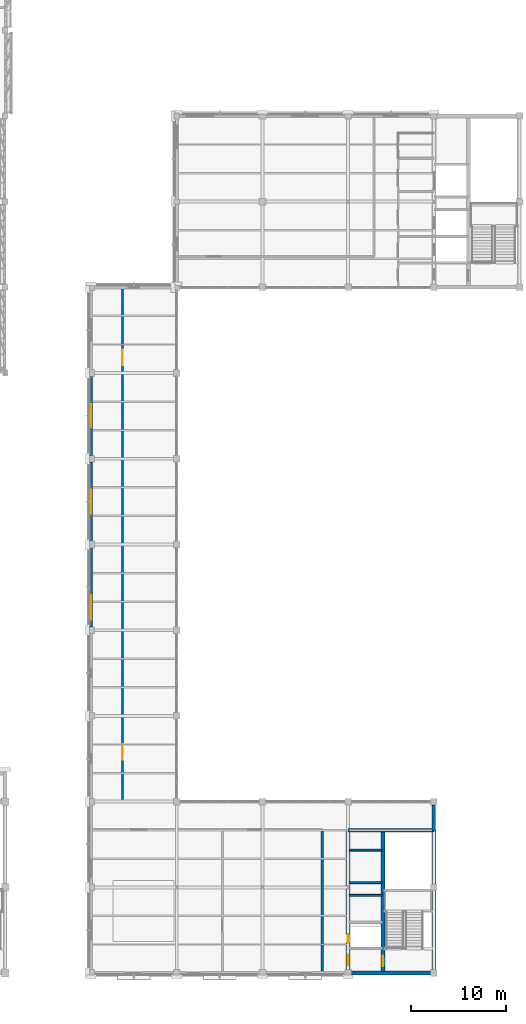
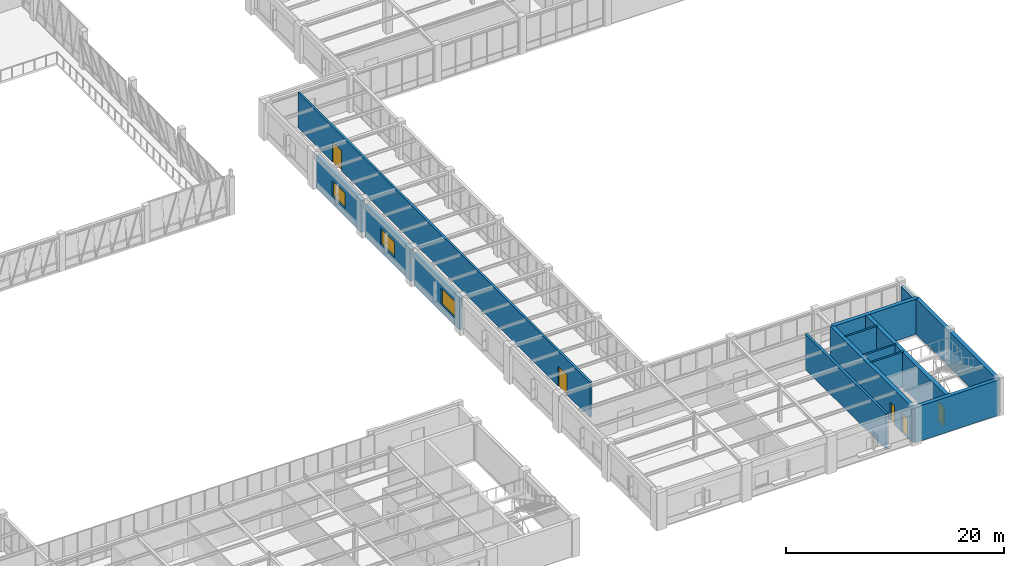
# One storey, part 93 of 108: 14 walls, 5 doors, 3 windows, 8 openings.
"""IFC4 building model written with IfcOpenShell, lengths in metres."""

from ifc_helpers import new_model, si_unit, direction, frame, frame_2d, origin, place, context, subcontext, project, spatial, rectangle, extrude, material, layer, layer_set, type_object, element, fill, save


model = new_model("IFC4")

# Units and contexts
model_context = context("Model", 3, precision=1e-05, world=origin(), true_north=direction((0.0, 1.0)))
body_context = subcontext(model_context, "Body", "Model", "MODEL_VIEW")
ifc_project = project(units=[si_unit("LENGTHUNIT", "METRE"), si_unit("AREAUNIT", "SQUARE_METRE"), si_unit("VOLUMEUNIT", "CUBIC_METRE"), si_unit("PLANEANGLEUNIT", "RADIAN"), si_unit("MASSUNIT", "GRAM", prefix="KILO")], contexts=[model_context])

# Site, building, storey
site_placement = place(None, origin())
site = spatial("IfcSite", under=ifc_project, at=site_placement, CompositionType="ELEMENT")
building_placement = place(site_placement, origin())
building = spatial("IfcBuilding", under=site, at=building_placement, Name="Lykobir Media Centre", CompositionType="ELEMENT")
storey_placement = place(building_placement, frame((0.0, 0.0, 15.0)))
storey = spatial("IfcBuildingStorey", under=building, at=storey_placement, Name="L03", CompositionType="ELEMENT", Elevation=15.0)

# Wall, opening, window
ifc_material_1 = material(Name="Architectural Ochre Brick", Category="masonry")
ifc_layer_1 = layer(ifc_material_1, 0.360107421875, Name="Architectural Ochre Brick")
ifc_layer_set_1 = layer_set([ifc_layer_1], Name="Architectural Ochre Brick")
wall_type_1 = type_object("IfcWallType", Name="EW-BRK-360", PredefinedType="STANDARD", material=ifc_layer_set_1)
wall_1_placement = place(storey_placement, frame((90.0, 44.6650390625, 0.0), z_axis=(0.0, 0.0, 1.0), x_axis=(0.0, -1.0, 0.0)))
wall_1 = element("IfcWall", 1, at=wall_1_placement, inside=storey, type_object=wall_type_1, Name="Exterior wall WALL-L03-0254", PredefinedType="STANDARD", context=body_context, shape_type="SweptSolid", body=[
    extrude(rectangle(XDim=8.330078125, YDim=0.360107421875, at=frame_2d((4.1650390625, 0.0))), origin(), (0.0, 0.0, 1.0), 3.635009765625),
])
opening_1_placement = place(wall_1_placement, frame((4.97998046875, 0.0, 0.89990234375)))
opening_1 = element("IfcOpeningElement", 2, at=opening_1_placement, cuts=wall_1, Name="Opening WN-2600x1800", PredefinedType="OPENING", context=body_context, shape_type="SweptSolid", body=[
    extrude(rectangle(XDim=2.60009765625, YDim=1.800048828125, at=frame_2d((1.300048828125, 0.89990234375))), frame((0.0, 0.18994140625, 0.0), z_axis=(0.0, -1.0, 0.0), x_axis=(1.0, 0.0, 0.0)), (0.0, 0.0, 1.0), 0.380126953125),
])
ifc_material_2 = material(Name="Low-E Laminated Triple Glazing", Category="glass")
window_type_1 = type_object("IfcWindowType", Name="WN-2600x1800", PartitioningType="SINGLE_PANEL", PredefinedType="WINDOW", material=ifc_material_2)
window_1_placement = place(opening_1_placement, origin())
window_1 = element("IfcWindow", 3, at=window_1_placement, inside=storey, type_object=window_type_1, Name="Window WIN-L03-0085", OverallHeight=1.800048828125, OverallWidth=2.60009765625, PartitioningType="SINGLE_PANEL", PredefinedType="WINDOW", context=body_context, shape_type="SweptSolid", body=[
    extrude(rectangle(XDim=2.60009765625, YDim=1.800048828125, at=frame_2d((1.300048828125, 0.89990234375))), frame((0.0, 0.030029296875, 0.0), z_axis=(0.0, -1.0, 0.0), x_axis=(1.0, 0.0, 0.0)), (0.0, 0.0, 1.0), 0.06005859375),
])
fill(opening_1, window_1)

wall_2_placement = place(storey_placement, frame((90.0, 53.6650390625, 0.0), z_axis=(0.0, 0.0, 1.0), x_axis=(0.0, -1.0, 0.0)))
wall_2 = element("IfcWall", 4, at=wall_2_placement, inside=storey, type_object=wall_type_1, Name="Exterior wall WALL-L03-0255", PredefinedType="STANDARD", context=body_context, shape_type="SweptSolid", body=[
    extrude(rectangle(XDim=8.330078125, YDim=0.360107421875, at=frame_2d((4.1650390625, 0.0))), origin(), (0.0, 0.0, 1.0), 3.635009765625),
])
opening_2_placement = place(wall_2_placement, frame((2.9150390625, 0.0, 0.89990234375)))
opening_2 = element("IfcOpeningElement", 5, at=opening_2_placement, cuts=wall_2, Name="Opening WN-2500x1750", PredefinedType="OPENING", context=body_context, shape_type="SweptSolid", body=[
    extrude(rectangle(XDim=2.5, YDim=1.75, at=frame_2d((1.25, 0.875))), frame((0.0, 0.18994140625, 0.0), z_axis=(0.0, -1.0, 0.0), x_axis=(1.0, 0.0, 0.0)), (0.0, 0.0, 1.0), 0.380126953125),
])
window_type_2 = type_object("IfcWindowType", Name="WN-2500x1750", PartitioningType="SINGLE_PANEL", PredefinedType="WINDOW", material=ifc_material_2)
window_2_placement = place(opening_2_placement, origin())
window_2 = element("IfcWindow", 6, at=window_2_placement, inside=storey, type_object=window_type_2, Name="Window WIN-L03-0086", OverallHeight=1.75, OverallWidth=2.5, PartitioningType="SINGLE_PANEL", PredefinedType="WINDOW", context=body_context, shape_type="SweptSolid", body=[
    extrude(rectangle(XDim=2.5, YDim=1.75, at=frame_2d((1.25, 0.875))), frame((0.0, 0.030029296875, 0.0), z_axis=(0.0, -1.0, 0.0), x_axis=(1.0, 0.0, 0.0)), (0.0, 0.0, 1.0), 0.06005859375),
])
fill(opening_2, window_2)

wall_3_placement = place(storey_placement, frame((90.0, 62.6650390625, 0.0), z_axis=(0.0, 0.0, 1.0), x_axis=(0.0, -1.0, 0.0)))
wall_3 = element("IfcWall", 7, at=wall_3_placement, inside=storey, type_object=wall_type_1, Name="Exterior wall WALL-L03-0256", PredefinedType="STANDARD", context=body_context, shape_type="SweptSolid", body=[
    extrude(rectangle(XDim=8.330078125, YDim=0.360107421875, at=frame_2d((4.1650390625, 0.0))), origin(), (0.0, 0.0, 1.0), 3.635009765625),
])
opening_3_placement = place(wall_3_placement, frame((2.965087890625, 0.0, 0.89990234375)))
opening_3 = element("IfcOpeningElement", 8, at=opening_3_placement, cuts=wall_3, Name="Opening WN-2400x1700", PredefinedType="OPENING", context=body_context, shape_type="SweptSolid", body=[
    extrude(rectangle(XDim=2.39990234375, YDim=1.699951171875, at=frame_2d((1.199951171875, 0.85009765625))), frame((0.0, 0.18994140625, 0.0), z_axis=(0.0, -1.0, 0.0), x_axis=(1.0, 0.0, 0.0)), (0.0, 0.0, 1.0), 0.380126953125),
])
window_type_3 = type_object("IfcWindowType", Name="WN-2400x1700", PartitioningType="SINGLE_PANEL", PredefinedType="WINDOW", material=ifc_material_2)
window_3_placement = place(opening_3_placement, origin())
window_3 = element("IfcWindow", 9, at=window_3_placement, inside=storey, type_object=window_type_3, Name="Window WIN-L03-0087", OverallHeight=1.699951171875, OverallWidth=2.39990234375, PartitioningType="SINGLE_PANEL", PredefinedType="WINDOW", context=body_context, shape_type="SweptSolid", body=[
    extrude(rectangle(XDim=2.39990234375, YDim=1.699951171875, at=frame_2d((1.199951171875, 0.85009765625))), frame((0.0, 0.030029296875, 0.0), z_axis=(0.0, -1.0, 0.0), x_axis=(1.0, 0.0, 0.0)), (0.0, 0.0, 1.0), 0.06005859375),
])
fill(opening_3, window_3)

# Walls
wall_4_placement = place(storey_placement, frame((126.0, 14.925048828125, 0.0), z_axis=(0.0, 0.0, 1.0), x_axis=(0.0, 1.0, 0.0)))
element("IfcWall", 10, at=wall_4_placement, inside=storey, type_object=wall_type_1, Name="Exterior wall WALL-L03-0263", PredefinedType="STANDARD", context=body_context, shape_type="SweptSolid", body=[
    extrude(rectangle(XDim=2.739990234375, YDim=0.360107421875, at=frame_2d((1.3701171875, 0.0))), origin(), (0.0, 0.0, 1.0), 3.635009765625),
])
ifc_material_3 = material(Name="Concrete C30/37", Category="concrete")
ifc_layer_2 = layer(ifc_material_3, 0.199951171875, Name="Concrete C30/37")
ifc_layer_set_2 = layer_set([ifc_layer_2], Name="Concrete C30/37")
wall_type_2 = type_object("IfcWallType", Name="IW-SHAFT-200", PredefinedType="PARTITIONING", material=ifc_layer_set_2)
for number, where, z_axis, x_axis, name in (
    (11, (117.10009765625, 8.14990234375, 0.0), (0.0, 0.0, 1.0), (1.0, 0.0, 0.0), "Wall IWALL-L03-0621"),
    (12, (117.10009765625, 9.5, 0.0), (0.0, 0.0, 1.0), (1.0, 0.0, 0.0), "Wall IWALL-L03-0622"),
    (13, (117.10009765625, 12.89990234375, 0.0), (0.0, 0.0, 1.0), (1.0, 0.0, 0.0), "Wall IWALL-L03-0623"),
):
    element("IfcWall", number, at=place(storey_placement, frame(where, z_axis=z_axis, x_axis=x_axis)), inside=storey, type_object=wall_type_2, Name=name, PredefinedType="PARTITIONING", context=body_context, shape_type="SweptSolid", body=[
        extrude(rectangle(XDim=3.5, YDim=0.199951171875, at=frame_2d((1.75, 0.0))), origin(), (0.0, 0.0, 1.0), 3.9599609375),
    ])

# Wall, openings, doors
ifc_material_4 = material(Name="Acoustic Gypsum Board", Category="gypsum")
ifc_layer_3 = layer(ifc_material_4, 0.219970703125, Name="Acoustic Gypsum Board")
ifc_layer_set_3 = layer_set([ifc_layer_3], Name="Acoustic Gypsum Board")
wall_type_3 = type_object("IfcWallType", Name="IW-STU-220", PredefinedType="PARTITIONING", material=ifc_layer_set_3)
wall_5_placement = place(storey_placement, frame((93.300048828125, 18.199951171875, 0.0), z_axis=(0.0, 0.0, 1.0), x_axis=(0.0, 1.0, 0.0)))
wall_5 = element("IfcWall", 14, at=wall_5_placement, inside=storey, type_object=wall_type_3, Name="Wall IWALL-L03-0730", PredefinedType="PARTITIONING", context=body_context, shape_type="SweptSolid", body=[
    extrude(rectangle(XDim=53.60009765625, YDim=0.219970703125, at=frame_2d((26.800048828125, 0.0))), origin(), (0.0, 0.0, 1.0), 3.9599609375),
])
opening_4_placement = place(wall_5_placement, frame((4.199951171875, 0.0, 0.0)))
opening_4 = element("IfcOpeningElement", 15, at=opening_4_placement, cuts=wall_5, Name="Opening D-L03-EP1", PredefinedType="OPENING", context=body_context, shape_type="SweptSolid", body=[
    extrude(rectangle(XDim=1.64990234375, YDim=2.25, at=frame_2d((0.824951171875, 1.125))), frame((0.0, 0.119873046875, 0.0), z_axis=(0.0, -1.0, 0.0), x_axis=(1.0, 0.0, 0.0)), (0.0, 0.0, 1.0), 0.239990234375),
])
opening_5_placement = place(wall_5_placement, frame((45.60009765625, 0.0, 0.0)))
opening_5 = element("IfcOpeningElement", 16, at=opening_5_placement, cuts=wall_5, Name="Opening D-L03-EP2", PredefinedType="OPENING", context=body_context, shape_type="SweptSolid", body=[
    extrude(rectangle(XDim=1.64990234375, YDim=2.25, at=frame_2d((0.824951171875, 1.125))), frame((0.0, 0.119873046875, 0.0), z_axis=(0.0, -1.0, 0.0), x_axis=(1.0, 0.0, 0.0)), (0.0, 0.0, 1.0), 0.239990234375),
])
ifc_material_5 = material(Name="Acoustic Timber Panelling", Category="wood")
door_type_1 = type_object("IfcDoorType", Name="FD-1650x2250", OperationType="NOTDEFINED", PredefinedType="DOOR", material=ifc_material_5)
door_1_placement = place(opening_4_placement, origin())
door_1 = element("IfcDoor", 17, at=door_1_placement, inside=storey, type_object=door_type_1, Name="Door D-L03-EP1", OperationType="DOUBLE_DOOR_SINGLE_SWING", OverallHeight=2.25, OverallWidth=1.64990234375, PredefinedType="DOOR", context=body_context, shape_type="SweptSolid", body=[
    extrude(rectangle(XDim=1.64990234375, YDim=2.25, at=frame_2d((0.824951171875, 1.125))), frame((0.0, 0.02490234375, 0.0), z_axis=(0.0, -1.0, 0.0), x_axis=(1.0, 0.0, 0.0)), (0.0, 0.0, 1.0), 0.050048828125),
])
fill(opening_4, door_1)
door_2_placement = place(opening_5_placement, origin())
door_2 = element("IfcDoor", 18, at=door_2_placement, inside=storey, type_object=door_type_1, Name="Door D-L03-EP2", OperationType="DOUBLE_DOOR_SINGLE_SWING", OverallHeight=2.25, OverallWidth=1.64990234375, PredefinedType="DOOR", context=body_context, shape_type="SweptSolid", body=[
    extrude(rectangle(XDim=1.64990234375, YDim=2.25, at=frame_2d((0.824951171875, 1.125))), frame((0.0, 0.02490234375, 0.0), z_axis=(0.0, -1.0, 0.0), x_axis=(1.0, 0.0, 0.0)), (0.0, 0.0, 1.0), 0.050048828125),
])
fill(opening_5, door_2)

# Wall
ifc_layer_4 = layer(ifc_material_4, 0.260009765625, Name="Acoustic Gypsum Board")
ifc_layer_set_4 = layer_set([ifc_layer_4], Name="Acoustic Gypsum Board")
wall_type_4 = type_object("IfcWallType", Name="IW-STU-260", PredefinedType="PARTITIONING", material=ifc_layer_set_4)
wall_6_placement = place(storey_placement, frame((114.300048828125, 0.219970703125, 0.0), z_axis=(0.0, 0.0, 1.0), x_axis=(0.0, 1.0, 0.0)))
element("IfcWall", 19, at=wall_6_placement, inside=storey, type_object=wall_type_4, Name="Wall IWALL-L03-0729", PredefinedType="PARTITIONING", context=body_context, shape_type="SweptSolid", body=[
    extrude(rectangle(XDim=14.830078125, YDim=0.260009765625, at=frame_2d((7.4150390625, 0.0))), origin(), (0.0, 0.0, 1.0), 3.9599609375),
])

# Wall, openings, doors
ifc_material_6 = material(Name="Concrete C40/50", Category="concrete")
ifc_layer_5 = layer(ifc_material_6, 0.39990234375, Name="Concrete C40/50")
ifc_layer_set_5 = layer_set([ifc_layer_5], Name="Concrete C40/50")
wall_type_5 = type_object("IfcWallType", Name="SW-CORE-400", PredefinedType="SHEAR", material=ifc_layer_set_5)
wall_7_placement = place(storey_placement, frame((117.0, 15.0, 0.0), z_axis=(0.0, 0.0, 1.0), x_axis=(0.0, -1.0, 0.0)))
wall_7 = element("IfcWall", 20, at=wall_7_placement, inside=storey, type_object=wall_type_5, Name="Wall IWALL-L03-0617", PredefinedType="SHEAR", context=body_context, shape_type="SweptSolid", body=[
    extrude(rectangle(XDim=15.0, YDim=0.39990234375, at=frame_2d((7.5, 0.0))), origin(), (0.0, 0.0, 1.0), 3.9599609375),
])
opening_6_placement = place(wall_7_placement, frame((13.10009765625, 0.0, 0.0)))
opening_6 = element("IfcOpeningElement", 21, at=opening_6_placement, cuts=wall_7, Name="Opening D-L03-C5VB", PredefinedType="OPENING", context=body_context, shape_type="SweptSolid", body=[
    extrude(rectangle(XDim=1.10009765625, YDim=2.159912109375, at=frame_2d((0.550048828125, 1.080078125))), frame((0.0, 0.2099609375, 0.0), z_axis=(0.0, -1.0, 0.0), x_axis=(1.0, 0.0, 0.0)), (0.0, 0.0, 1.0), 0.419921875),
])
opening_7_placement = place(wall_7_placement, frame((10.949951171875, 0.0, 0.0)))
opening_7 = element("IfcOpeningElement", 22, at=opening_7_placement, cuts=wall_7, Name="Opening D-L03-C5RS", PredefinedType="OPENING", context=body_context, shape_type="SweptSolid", body=[
    extrude(rectangle(XDim=0.85009765625, YDim=2.10009765625, at=frame_2d((0.425048828125, 1.050048828125))), frame((0.0, 0.2099609375, 0.0), z_axis=(0.0, -1.0, 0.0), x_axis=(1.0, 0.0, 0.0)), (0.0, 0.0, 1.0), 0.419921875),
])
ifc_material_7 = material(Name="Anodized Aluminium AW-6060", Category="aluminium")
door_type_2 = type_object("IfcDoorType", Name="FD-0850x2100", OperationType="NOTDEFINED", PredefinedType="DOOR", material=ifc_material_7)
door_3_placement = place(opening_7_placement, origin())
door_3 = element("IfcDoor", 23, at=door_3_placement, inside=storey, type_object=door_type_2, Name="Riser access door C5 L03", OperationType="SINGLE_SWING_LEFT", OverallHeight=2.10009765625, OverallWidth=0.85009765625, PredefinedType="DOOR", context=body_context, shape_type="SweptSolid", body=[
    extrude(rectangle(XDim=0.85009765625, YDim=2.10009765625, at=frame_2d((0.425048828125, 1.050048828125))), frame((0.0, 0.02490234375, 0.0), z_axis=(0.0, -1.0, 0.0), x_axis=(1.0, 0.0, 0.0)), (0.0, 0.0, 1.0), 0.050048828125),
])
fill(opening_7, door_3)
door_type_3 = type_object("IfcDoorType", Name="FD-1100x2160", OperationType="NOTDEFINED", PredefinedType="DOOR", material=ifc_material_5)
door_4_placement = place(opening_6_placement, origin())
door_4 = element("IfcDoor", 24, at=door_4_placement, inside=storey, type_object=door_type_3, Name="Door D-L03-C5VB", OperationType="SINGLE_SWING_RIGHT", OverallHeight=2.159912109375, OverallWidth=1.10009765625, PredefinedType="DOOR", context=body_context, shape_type="SweptSolid", body=[
    extrude(rectangle(XDim=1.10009765625, YDim=2.159912109375, at=frame_2d((0.550048828125, 1.080078125))), frame((0.0, 0.02490234375, 0.0), z_axis=(0.0, -1.0, 0.0), x_axis=(1.0, 0.0, 0.0)), (0.0, 0.0, 1.0), 0.050048828125),
])
fill(opening_6, door_4)

# Wall, opening, door
wall_8_placement = place(storey_placement, frame((120.64990234375, 0.0, 0.0), z_axis=(0.0, 0.0, 1.0), x_axis=(0.0, 1.0, 0.0)))
wall_8 = element("IfcWall", 25, at=wall_8_placement, inside=storey, type_object=wall_type_5, Name="Wall IWALL-L03-0618", PredefinedType="SHEAR", context=body_context, shape_type="SweptSolid", body=[
    extrude(rectangle(XDim=15.0, YDim=0.39990234375, at=frame_2d((7.5, 0.0))), origin(), (0.0, 0.0, 1.0), 3.9599609375),
])
opening_8_placement = place(wall_8_placement, frame((0.699951171875, 0.0, 0.0)))
opening_8 = element("IfcOpeningElement", 26, at=opening_8_placement, cuts=wall_8, Name="Opening D-L03-C5ST", PredefinedType="OPENING", context=body_context, shape_type="SweptSolid", body=[
    extrude(rectangle(XDim=1.10009765625, YDim=2.159912109375, at=frame_2d((0.550048828125, 1.080078125))), frame((0.0, 0.2099609375, 0.0), z_axis=(0.0, -1.0, 0.0), x_axis=(1.0, 0.0, 0.0)), (0.0, 0.0, 1.0), 0.419921875),
])
door_5_placement = place(opening_8_placement, origin())
door_5 = element("IfcDoor", 27, at=door_5_placement, inside=storey, type_object=door_type_3, Name="L03 ST-5 stairwell fire door", OperationType="SINGLE_SWING_LEFT", OverallHeight=2.159912109375, OverallWidth=1.10009765625, PredefinedType="DOOR", context=body_context, shape_type="SweptSolid", body=[
    extrude(rectangle(XDim=1.10009765625, YDim=2.159912109375, at=frame_2d((0.550048828125, 1.080078125))), frame((0.0, 0.02490234375, 0.0), z_axis=(0.0, -1.0, 0.0), x_axis=(1.0, 0.0, 0.0)), (0.0, 0.0, 1.0), 0.050048828125),
])
fill(opening_8, door_5)

# Walls
ifc_layer_6 = layer(ifc_material_6, 0.39990234375, Name="Concrete C40/50")
ifc_layer_set_6 = layer_set([ifc_layer_6], Name="Concrete C40/50")
wall_type_6 = type_object("IfcWallType", Name="SW-CORE-400-E", PredefinedType="SHEAR", material=ifc_layer_set_6)
wall_9_placement = place(storey_placement, frame((117.0, 0.0, 0.0), z_axis=(0.0, 0.0, 1.0), x_axis=(1.0, 0.0, 0.0)))
element("IfcWall", 28, at=wall_9_placement, inside=storey, type_object=wall_type_6, Name="Wall IWALL-L03-0614", PredefinedType="SHEAR", context=body_context, shape_type="SweptSolid", body=[
    extrude(rectangle(XDim=9.0, YDim=0.39990234375, at=frame_2d((4.5, 0.0))), origin(), (0.0, 0.0, 1.0), 3.9599609375),
])
wall_10_placement = place(storey_placement, frame((126.0, 0.0, 0.0), z_axis=(0.0, 0.0, 1.0), x_axis=(0.0, 1.0, 0.0)))
element("IfcWall", 29, at=wall_10_placement, inside=storey, type_object=wall_type_6, Name="Wall IWALL-L03-0615", PredefinedType="SHEAR", context=body_context, shape_type="SweptSolid", body=[
    extrude(rectangle(XDim=15.0, YDim=0.39990234375, at=frame_2d((7.5, 0.0))), origin(), (0.0, 0.0, 1.0), 3.9599609375),
])
wall_11_placement = place(storey_placement, frame((126.0, 15.0, 0.0), z_axis=(0.0, 0.0, 1.0), x_axis=(-1.0, 0.0, 0.0)))
element("IfcWall", 30, at=wall_11_placement, inside=storey, type_object=wall_type_6, Name="Wall IWALL-L03-0616", PredefinedType="SHEAR", context=body_context, shape_type="SweptSolid", body=[
    extrude(rectangle(XDim=9.0, YDim=0.39990234375, at=frame_2d((4.5, 0.0))), origin(), (0.0, 0.0, 1.0), 3.9599609375),
])

save(model, "model.ifc")
